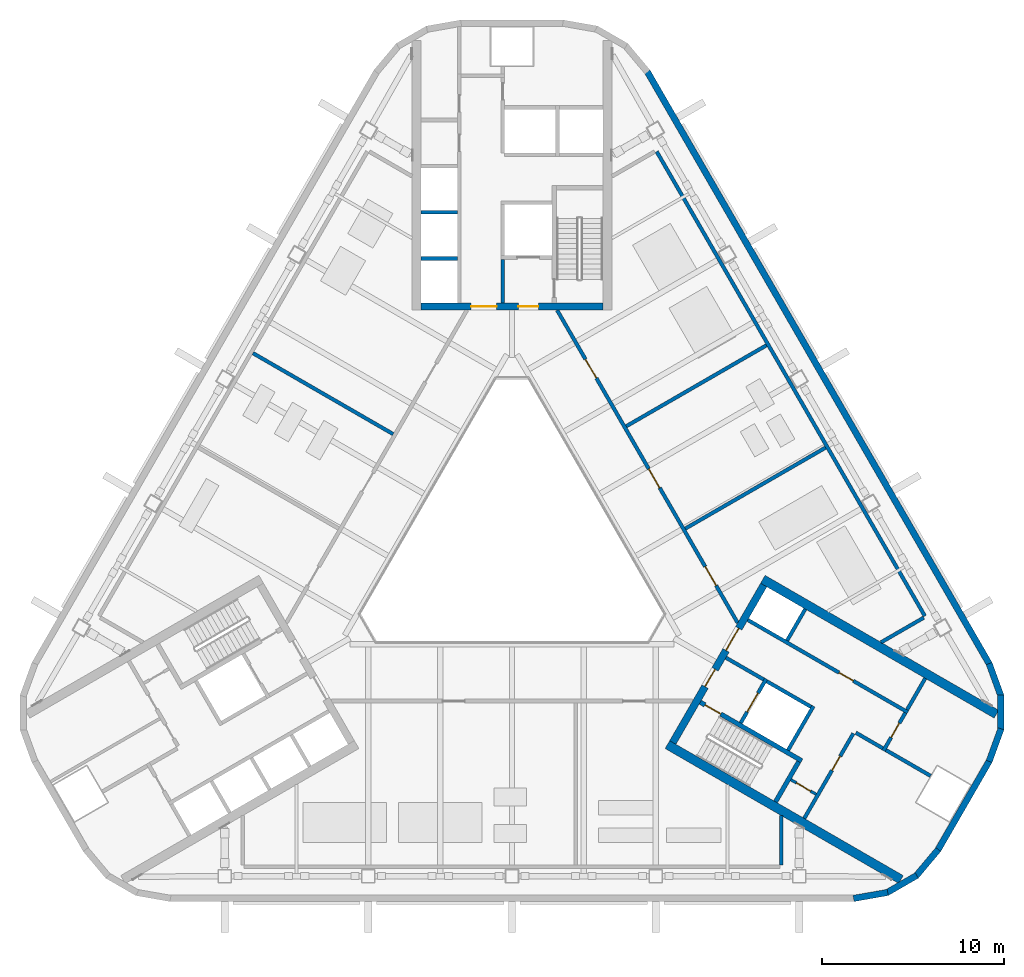
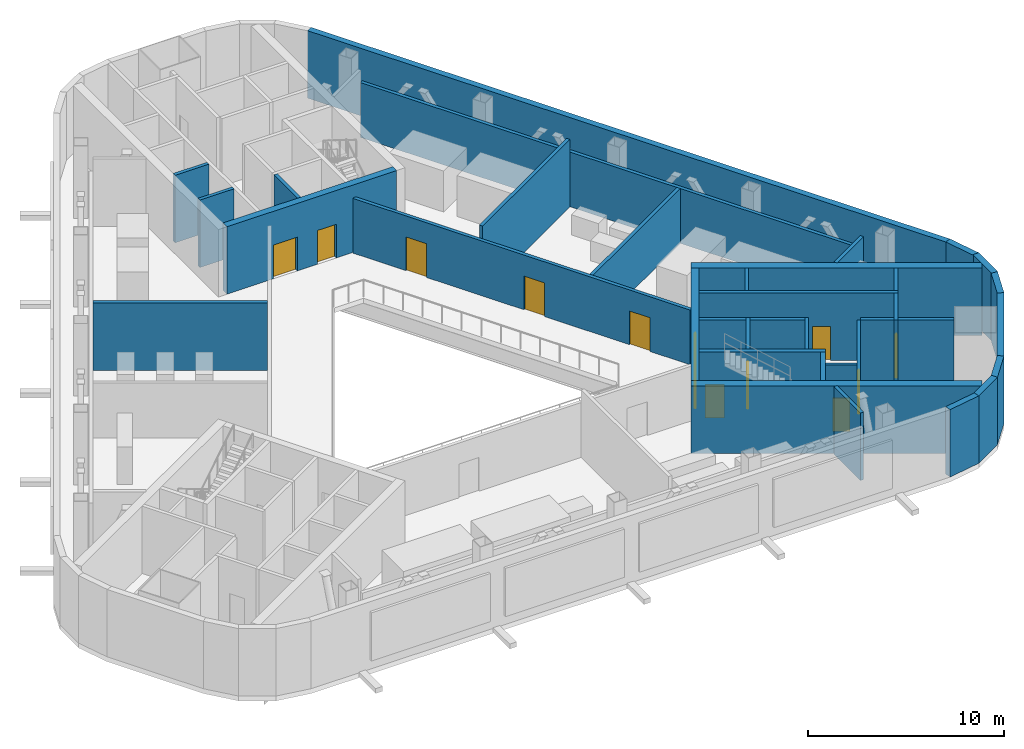
# One storey, part 8 of 15: 36 walls, 13 doors, 13 openings.
"""IFC4 building model written with IfcOpenShell, lengths in metres."""

from ifc_helpers import new_model, si_unit, direction, frame, frame_2d, origin, place, context, subcontext, project, spatial, rectangle, extrude, material, layer, layer_set, type_object, element, fill, save


model = new_model("IFC4")

# Units and contexts
model_context = context("Model", 3, precision=1e-05, world=origin(), true_north=direction((0.0, 1.0)))
body_context = subcontext(model_context, "Body", "Model", "MODEL_VIEW")
ifc_project = project(units=[si_unit("LENGTHUNIT", "METRE"), si_unit("AREAUNIT", "SQUARE_METRE"), si_unit("VOLUMEUNIT", "CUBIC_METRE"), si_unit("PLANEANGLEUNIT", "RADIAN"), si_unit("MASSUNIT", "GRAM", prefix="KILO")], contexts=[model_context])

# Site, building, storey
site_placement = place(None, origin())
site = spatial("IfcSite", under=ifc_project, at=site_placement, CompositionType="ELEMENT")
building_placement = place(site_placement, origin())
building = spatial("IfcBuilding", under=site, at=building_placement, Name="Apuvela Tower Hotel", CompositionType="ELEMENT")
storey_placement = place(building_placement, frame((0.0, 0.0, 237.699951171875)))
storey = spatial("IfcBuildingStorey", under=building, at=storey_placement, Name="L58 Plant", CompositionType="ELEMENT", Elevation=237.699951171875)

# Wall, openings, doors
ifc_material_1 = material(Name="Concrete C50/60", Category="concrete")
ifc_layer_1 = layer(ifc_material_1, 0.39990234375)
ifc_layer_set_1 = layer_set([ifc_layer_1], Name="COR-WALL-CORE-400")
wall_type_1 = type_object("IfcWallType", Name="COR-WALL-CORE-400", PredefinedType="SHEAR", material=ifc_layer_set_1)
wall_1_placement = place(storey_placement, frame((5.0, 13.10009765625, 0.0), z_axis=(0.0, 0.0, 1.0), x_axis=(-1.0, 0.0, 0.0)))
wall_1 = element("IfcWall", 1, at=wall_1_placement, inside=storey, type_object=wall_type_1, Name="Core wall N", PredefinedType="SHEAR", context=body_context, shape_type="SweptSolid", body=[
    extrude(rectangle(XDim=10.0, YDim=0.39990234375, at=frame_2d((5.0, 0.0))), origin(), (0.0, 0.0, 1.0), 4.199951171875),
])
opening_1_placement = place(wall_1_placement, frame((3.550048828125, 0.0, 0.0)))
opening_1 = element("IfcOpeningElement", 2, at=opening_1_placement, cuts=wall_1, Name="Opening N-FD", PredefinedType="OPENING", context=body_context, shape_type="SweptSolid", body=[
    extrude(rectangle(XDim=1.10009765625, YDim=2.10009765625, at=frame_2d((0.550048828125, 1.050048828125))), frame((0.0, 0.2099609375, 0.0), z_axis=(0.0, -1.0, 0.0), x_axis=(1.0, 0.0, 0.0)), (0.0, 0.0, 1.0), 0.419921875),
])
opening_2_placement = place(wall_1_placement, frame((5.85009765625, 0.0, 0.0)))
opening_2 = element("IfcOpeningElement", 3, at=opening_2_placement, cuts=wall_1, Name="Opening N-GD", PredefinedType="OPENING", context=body_context, shape_type="SweptSolid", body=[
    extrude(rectangle(XDim=1.39990234375, YDim=2.10009765625, at=frame_2d((0.699951171875, 1.050048828125))), frame((0.0, 0.2099609375, 0.0), z_axis=(0.0, -1.0, 0.0), x_axis=(1.0, 0.0, 0.0)), (0.0, 0.0, 1.0), 0.419921875),
])
ifc_material_2 = material(Name="Steel fire door, powder coated", Category="steel")
door_type_1 = type_object("IfcDoorType", Name="COR-FD-1100", OperationType="NOTDEFINED", PredefinedType="DOOR", material=ifc_material_2)
door_1_placement = place(opening_1_placement, frame((1.10009765625, 0.0, 0.0), z_axis=(0.0, 0.0, 1.0), x_axis=(-1.0, 0.0, 0.0)))
door_1 = element("IfcDoor", 4, at=door_1_placement, inside=storey, type_object=door_type_1, Name="Firefighting lobby door N-FD", OperationType="SINGLE_SWING_LEFT", OverallHeight=2.10009765625, OverallWidth=1.10009765625, PredefinedType="DOOR", context=body_context, shape_type="SweptSolid", body=[
    extrude(rectangle(XDim=1.10009765625, YDim=2.10009765625, at=frame_2d((0.550048828125, 1.050048828125))), frame((0.0, 0.02490234375, 0.0), z_axis=(0.0, -1.0, 0.0), x_axis=(1.0, 0.0, 0.0)), (0.0, 0.0, 1.0), 0.050048828125),
])
fill(opening_1, door_1)
ifc_material_3 = material(Name="Glazed steel fire door", Category="steel")
door_type_2 = type_object("IfcDoorType", Name="COR-GD-1400", OperationType="DOUBLE_DOOR_SINGLE_SWING", PredefinedType="DOOR", material=ifc_material_3)
door_2_placement = place(opening_2_placement, frame((1.39990234375, 0.0, 0.0), z_axis=(0.0, 0.0, 1.0), x_axis=(-1.0, 0.0, 0.0)))
door_2 = element("IfcDoor", 5, at=door_2_placement, inside=storey, type_object=door_type_2, Name="Lift lobby door N-GD", OperationType="DOUBLE_DOOR_SINGLE_SWING", OverallHeight=2.10009765625, OverallWidth=1.39990234375, PredefinedType="DOOR", context=body_context, shape_type="SweptSolid", body=[
    extrude(rectangle(XDim=1.39990234375, YDim=2.10009765625, at=frame_2d((0.699951171875, 1.050048828125))), frame((0.0, 0.02490234375, 0.0), z_axis=(0.0, -1.0, 0.0), x_axis=(1.0, 0.0, 0.0)), (0.0, 0.0, 1.0), 0.050048828125),
])
fill(opening_2, door_2)

wall_2_placement = place(storey_placement, frame((8.844970703125, -10.880126953125, 0.0), z_axis=(0.0, 0.0, 1.0), x_axis=(0.500004234368, 0.866022959057, 0.0)))
wall_2 = element("IfcWall", 6, at=wall_2_placement, inside=storey, type_object=wall_type_1, Name="Core wall SE", PredefinedType="SHEAR", context=body_context, shape_type="SweptSolid", body=[
    extrude(rectangle(XDim=10.0, YDim=0.39990234375, at=frame_2d((5.0, 0.0))), origin(), (0.0, 0.0, 1.0), 4.199951171875),
])
opening_3_placement = place(wall_2_placement, frame((3.550048828125, 0.0, 0.0)))
opening_3 = element("IfcOpeningElement", 7, at=opening_3_placement, cuts=wall_2, Name="Opening E-FD", PredefinedType="OPENING", context=body_context, shape_type="SweptSolid", body=[
    extrude(rectangle(XDim=1.10009765625, YDim=2.10009765625, at=frame_2d((0.550048828125, 1.050048828125))), frame((0.0, 0.2099609375, 0.0), z_axis=(0.0, -1.0, 0.0), x_axis=(1.0, 0.0, 0.0)), (0.0, 0.0, 1.0), 0.419921875),
])
opening_4_placement = place(wall_2_placement, frame((5.85009765625, 0.0, 0.0)))
opening_4 = element("IfcOpeningElement", 8, at=opening_4_placement, cuts=wall_2, Name="Opening E-GD", PredefinedType="OPENING", context=body_context, shape_type="SweptSolid", body=[
    extrude(rectangle(XDim=1.39990234375, YDim=2.10009765625, at=frame_2d((0.699951171875, 1.050048828125))), frame((0.0, 0.2099609375, 0.0), z_axis=(0.0, -1.0, 0.0), x_axis=(1.0, 0.0, 0.0)), (0.0, 0.0, 1.0), 0.419921875),
])
door_3_placement = place(opening_3_placement, frame((1.10009765625, 0.0, 0.0), z_axis=(0.0, 0.0, 1.0), x_axis=(-1.0, 0.0, 0.0)))
door_3 = element("IfcDoor", 9, at=door_3_placement, inside=storey, type_object=door_type_1, Name="Firefighting lobby door E-FD", OperationType="SINGLE_SWING_LEFT", OverallHeight=2.10009765625, OverallWidth=1.10009765625, PredefinedType="DOOR", context=body_context, shape_type="SweptSolid", body=[
    extrude(rectangle(XDim=1.10009765625, YDim=2.10009765625, at=frame_2d((0.550048828125, 1.050048828125))), frame((0.0, 0.02490234375, 0.0), z_axis=(0.0, -1.0, 0.0), x_axis=(1.0, 0.0, 0.0)), (0.0, 0.0, 1.0), 0.050048828125),
])
fill(opening_3, door_3)
door_4_placement = place(opening_4_placement, frame((1.39990234375, 0.0, 0.0), z_axis=(0.0, 0.0, 1.0), x_axis=(-1.0, 0.0, 0.0)))
door_4 = element("IfcDoor", 10, at=door_4_placement, inside=storey, type_object=door_type_2, Name="Lift lobby door E-GD", OperationType="DOUBLE_DOOR_SINGLE_SWING", OverallHeight=2.10009765625, OverallWidth=1.39990234375, PredefinedType="DOOR", context=body_context, shape_type="SweptSolid", body=[
    extrude(rectangle(XDim=1.39990234375, YDim=2.10009765625, at=frame_2d((0.699951171875, 1.050048828125))), frame((0.0, 0.02490234375, 0.0), z_axis=(0.0, -1.0, 0.0), x_axis=(1.0, 0.0, 0.0)), (0.0, 0.0, 1.0), 0.050048828125),
])
fill(opening_4, door_4)

# Walls
ifc_layer_2 = layer(ifc_material_1, 0.5)
ifc_layer_set_2 = layer_set([ifc_layer_2], Name="COR-WALL-CORE-500")
wall_type_2 = type_object("IfcWallType", Name="COR-WALL-CORE-500", PredefinedType="SHEAR", material=ifc_layer_set_2)
for number, where, z_axis, x_axis, name in (
    (11, (8.546630859375, -10.99658203125, 0.0), (0.0, 0.0, 1.0), (0.866025009528, -0.500000682871, 0.0), "Core wall SE"),
    (12, (13.796630859375, -1.9033203125, 0.0), (0.0, 0.0, 1.0), (0.866025009528, -0.500000682871, 0.0), "Core wall SE"),
):
    element("IfcWall", number, at=place(storey_placement, frame(where, z_axis=z_axis, x_axis=x_axis)), inside=storey, type_object=wall_type_2, Name=name, PredefinedType="SHEAR", context=body_context, shape_type="SweptSolid", body=[
        extrude(rectangle(XDim=14.8369140625, YDim=0.5, at=frame_2d((7.41845703125, 0.0))), origin(), (0.0, 0.0, 1.0), 4.199951171875),
    ])

# Wall, opening, door
ifc_material_4 = material(Name="Blockwork 150 mm plastered", Category="masonry")
ifc_layer_3 = layer(ifc_material_4, 0.14990234375)
ifc_layer_set_3 = layer_set([ifc_layer_3], Name="COR-WALL-PART-150")
wall_type_3 = type_object("IfcWallType", Name="COR-WALL-PART-150", PredefinedType="PARTITIONING", material=ifc_layer_set_3)
wall_3_placement = place(storey_placement, frame((15.341552734375, -12.927734375, 0.0), z_axis=(0.0, 0.0, 1.0), x_axis=(0.865989903783, -0.500061482766, 0.0)))
wall_3 = element("IfcWall", 13, at=wall_3_placement, inside=storey, type_object=wall_type_3, Name="Partition SE", PredefinedType="PARTITIONING", context=body_context, shape_type="SweptSolid", body=[
    extrude(rectangle(XDim=1.599853515625, YDim=0.14990234375, at=frame_2d((0.7998046875, 0.0))), origin(), (0.0, 0.0, 1.0), 4.199951171875),
])
opening_5_placement = place(wall_3_placement, frame((0.35009765625, 0.0, 0.0)))
opening_5 = element("IfcOpeningElement", 14, at=opening_5_placement, cuts=wall_3, Name="Opening E-RD", PredefinedType="OPENING", context=body_context, shape_type="SweptSolid", body=[
    extrude(rectangle(XDim=0.89990234375, YDim=2.10009765625, at=frame_2d((0.449951171875, 1.050048828125))), frame((0.0, 0.0849609375, 0.0), z_axis=(0.0, -1.0, 0.0), x_axis=(1.0, 0.0, 0.0)), (0.0, 0.0, 1.0), 0.169921875),
])
ifc_material_5 = material(Name="Steel access door, powder coated", Category="steel")
door_type_3 = type_object("IfcDoorType", Name="COR-RD-900", OperationType="NOTDEFINED", PredefinedType="DOOR", material=ifc_material_5)
door_5_placement = place(opening_5_placement, frame((0.89990234375, 0.0, 0.0), z_axis=(0.0, 0.0, 1.0), x_axis=(-1.0, 0.0, 0.0)))
door_5 = element("IfcDoor", 15, at=door_5_placement, inside=storey, type_object=door_type_3, Name="Riser door E-RD", OperationType="SINGLE_SWING_LEFT", OverallHeight=2.10009765625, OverallWidth=0.89990234375, PredefinedType="DOOR", context=body_context, shape_type="SweptSolid", body=[
    extrude(rectangle(XDim=0.89990234375, YDim=2.10009765625, at=frame_2d((0.449951171875, 1.050048828125))), frame((0.0, 0.02490234375, 0.0), z_axis=(0.0, -1.0, 0.0), x_axis=(1.0, 0.0, 0.0)), (0.0, 0.0, 1.0), 0.050048828125),
])
fill(opening_5, door_5)

ifc_material_6 = material(Name="Blockwork 200 mm plastered", Category="masonry")
ifc_layer_4 = layer(ifc_material_6, 0.199951171875)
ifc_layer_set_4 = layer_set([ifc_layer_4], Name="COR-WALL-PART-200")
wall_type_4 = type_object("IfcWallType", Name="COR-WALL-PART-200", PredefinedType="PARTITIONING", material=ifc_layer_set_4)
wall_4_placement = place(storey_placement, frame((16.076171875, -15.05517578125, 0.0), z_axis=(0.0, 0.0, 1.0), x_axis=(0.499995103361, 0.866028230842, 0.0)))
wall_4 = element("IfcWall", 16, at=wall_4_placement, inside=storey, type_object=wall_type_4, Name="Partition SE", PredefinedType="PARTITIONING", context=body_context, shape_type="SweptSolid", body=[
    extrude(rectangle(XDim=5.39990234375, YDim=0.199951171875, at=frame_2d((2.699951171875, 0.0))), origin(), (0.0, 0.0, 1.0), 4.199951171875),
])
opening_6_placement = place(wall_4_placement, frame((3.050048828125, 0.0, 0.0)))
opening_6 = element("IfcOpeningElement", 17, at=opening_6_placement, cuts=wall_4, Name="Opening E-RS1", PredefinedType="OPENING", context=body_context, shape_type="SweptSolid", body=[
    extrude(rectangle(XDim=0.89990234375, YDim=2.10009765625, at=frame_2d((0.449951171875, 1.050048828125))), frame((0.0, 0.10986328125, 0.0), z_axis=(0.0, -1.0, 0.0), x_axis=(1.0, 0.0, 0.0)), (0.0, 0.0, 1.0), 0.219970703125),
])
door_type_4 = type_object("IfcDoorType", Name="COR-DR-900", OperationType="NOTDEFINED", PredefinedType="DOOR", material=ifc_material_2)
door_6_placement = place(opening_6_placement, frame((0.89990234375, 0.0, 0.0), z_axis=(0.0, 0.0, 1.0), x_axis=(-1.0, 0.0, 0.0)))
door_6 = element("IfcDoor", 18, at=door_6_placement, inside=storey, type_object=door_type_4, Name="Store door E-RS1", OperationType="SINGLE_SWING_LEFT", OverallHeight=2.10009765625, OverallWidth=0.89990234375, PredefinedType="DOOR", context=body_context, shape_type="SweptSolid", body=[
    extrude(rectangle(XDim=0.89990234375, YDim=2.10009765625, at=frame_2d((0.449951171875, 1.050048828125))), frame((0.0, 0.02490234375, 0.0), z_axis=(0.0, -1.0, 0.0), x_axis=(1.0, 0.0, 0.0)), (0.0, 0.0, 1.0), 0.050048828125),
])
fill(opening_6, door_6)

# Walls
ifc_layer_5 = layer(ifc_material_1, 0.199951171875)
ifc_layer_set_5 = layer_set([ifc_layer_5], Name="COR-WALL-SHAFT-200")
wall_type_5 = type_object("IfcWallType", Name="COR-WALL-SHAFT-200", PredefinedType="SHEAR", material=ifc_layer_set_5)
wall_5_placement = place(storey_placement, frame((-0.5, 13.300048828125, 0.0), z_axis=(0.0, 0.0, 1.0), x_axis=(0.0, 1.0, 0.0)))
element("IfcWall", 19, at=wall_5_placement, inside=storey, type_object=wall_type_5, Name="Shaft wall N", PredefinedType="SHEAR", context=body_context, shape_type="SweptSolid", body=[
    extrude(rectangle(XDim=2.39990234375, YDim=0.199951171875, at=frame_2d((1.199951171875, 0.0))), origin(), (0.0, 0.0, 1.0), 4.199951171875),
])
for number, where, z_axis, x_axis, name in (
    (20, (-3.0, 15.739990234375, 0.0), (0.0, 0.0, 1.0), (-1.0, 0.0, 0.0), "Shaft wall N"),
    (21, (-3.0, 18.280029296875, 0.0), (0.0, 0.0, 1.0), (-1.0, 0.0, 0.0), "Shaft wall N"),
):
    element("IfcWall", number, at=place(storey_placement, frame(where, z_axis=z_axis, x_axis=x_axis)), inside=storey, type_object=wall_type_5, Name=name, PredefinedType="SHEAR", context=body_context, shape_type="SweptSolid", body=[
        extrude(rectangle(XDim=2.0, YDim=0.199951171875, at=frame_2d((1.0, 0.0))), origin(), (0.0, 0.0, 1.0), 4.199951171875),
    ])
wall_6_placement = place(storey_placement, frame((15.181396484375, -11.305419921875, 0.0), z_axis=(0.0, 0.0, 1.0), x_axis=(0.49994636267, 0.866056369097, 0.0)))
element("IfcWall", 22, at=wall_6_placement, inside=storey, type_object=wall_type_5, Name="Shaft wall SE", PredefinedType="SHEAR", context=body_context, shape_type="SweptSolid", body=[
    extrude(rectangle(XDim=2.800048828125, YDim=0.199951171875, at=frame_2d((1.39990234375, 0.0))), origin(), (0.0, 0.0, 1.0), 4.199951171875),
])

# Wall, opening, door
wall_7_placement = place(storey_placement, frame((12.583251953125, -9.805419921875, 0.0), z_axis=(0.0, 0.0, 1.0), x_axis=(0.49994636267, 0.866056369097, 0.0)))
wall_7 = element("IfcWall", 23, at=wall_7_placement, inside=storey, type_object=wall_type_5, Name="Shaft wall SE", PredefinedType="SHEAR", context=body_context, shape_type="SweptSolid", body=[
    extrude(rectangle(XDim=2.800048828125, YDim=0.199951171875, at=frame_2d((1.39990234375, 0.0))), origin(), (0.0, 0.0, 1.0), 4.199951171875),
])
opening_7_placement = place(wall_7_placement, frame((0.699951171875, 0.0, 0.0)))
opening_7 = element("IfcOpeningElement", 24, at=opening_7_placement, cuts=wall_7, Name="Opening E-LD-FS3", PredefinedType="OPENING", context=body_context, shape_type="SweptSolid", body=[
    extrude(rectangle(XDim=1.199951171875, YDim=2.10009765625, at=frame_2d((0.60009765625, 1.050048828125))), frame((0.0, 0.10986328125, 0.0), z_axis=(0.0, -1.0, 0.0), x_axis=(1.0, 0.0, 0.0)), (0.0, 0.0, 1.0), 0.219970703125),
])
ifc_material_7 = material(Name="Stainless steel lift landing door", Category="steel")
door_type_5 = type_object("IfcDoorType", Name="COR-LD-1200", OperationType="DOUBLE_DOOR_SLIDING", PredefinedType="DOOR", material=ifc_material_7)
door_7_placement = place(opening_7_placement, origin())
door_7 = element("IfcDoor", 25, at=door_7_placement, inside=storey, type_object=door_type_5, Name="Lift landing door E-LD-FS3", OperationType="DOUBLE_DOOR_SLIDING", OverallHeight=2.10009765625, OverallWidth=1.199951171875, PredefinedType="DOOR", context=body_context, shape_type="SweptSolid", body=[
    extrude(rectangle(XDim=1.199951171875, YDim=2.10009765625, at=frame_2d((0.60009765625, 1.050048828125))), frame((0.0, 0.02490234375, 0.0), z_axis=(0.0, -1.0, 0.0), x_axis=(1.0, 0.0, 0.0)), (0.0, 0.0, 1.0), 0.050048828125),
])
fill(opening_7, door_7)

# Walls
wall_8_placement = place(storey_placement, frame((11.76806640625, -6.217041015625, 0.0), z_axis=(0.0, 0.0, 1.0), x_axis=(0.866050077142, -0.499957262057, 0.0)))
element("IfcWall", 26, at=wall_8_placement, inside=storey, type_object=wall_type_5, Name="Shaft wall SE", PredefinedType="SHEAR", context=body_context, shape_type="SweptSolid", body=[
    extrude(rectangle(XDim=2.400146484375, YDim=0.199951171875, at=frame_2d((1.2001953125, 0.0))), origin(), (0.0, 0.0, 1.0), 4.199951171875),
])
wall_9_placement = place(storey_placement, frame((14.019775390625, -7.51708984375, 0.0), z_axis=(0.0, 0.0, 1.0), x_axis=(0.866034573852, -0.49998411664, 0.0)))
element("IfcWall", 27, at=wall_9_placement, inside=storey, type_object=wall_type_5, Name="Shaft wall SE", PredefinedType="SHEAR", context=body_context, shape_type="SweptSolid", body=[
    extrude(rectangle(XDim=2.7998046875, YDim=0.199951171875, at=frame_2d((1.39990234375, 0.0))), origin(), (0.0, 0.0, 1.0), 4.199951171875),
])

# Wall, opening, door
wall_10_placement = place(storey_placement, frame((12.968017578125, -4.138427734375, 0.0), z_axis=(0.0, 0.0, 1.0), x_axis=(0.866028328073, -0.49999493495, 0.0)))
wall_10 = element("IfcWall", 28, at=wall_10_placement, inside=storey, type_object=wall_type_5, Name="Shaft wall SE", PredefinedType="SHEAR", context=body_context, shape_type="SweptSolid", body=[
    extrude(rectangle(XDim=10.16015625, YDim=0.199951171875, at=frame_2d((5.080078125, 0.0))), origin(), (0.0, 0.0, 1.0), 4.199951171875),
])
opening_8_placement = place(wall_10_placement, frame((5.800048828125, 0.0, 0.0)))
opening_8 = element("IfcOpeningElement", 29, at=opening_8_placement, cuts=wall_10, Name="Opening E-RE2", PredefinedType="OPENING", context=body_context, shape_type="SweptSolid", body=[
    extrude(rectangle(XDim=0.89990234375, YDim=2.10009765625, at=frame_2d((0.449951171875, 1.050048828125))), frame((0.0, 0.10986328125, 0.0), z_axis=(0.0, -1.0, 0.0), x_axis=(1.0, 0.0, 0.0)), (0.0, 0.0, 1.0), 0.219970703125),
])
door_8_placement = place(opening_8_placement, origin())
door_8 = element("IfcDoor", 30, at=door_8_placement, inside=storey, type_object=door_type_4, Name="Store door E-RE2", OperationType="SINGLE_SWING_LEFT", OverallHeight=2.10009765625, OverallWidth=0.89990234375, PredefinedType="DOOR", context=body_context, shape_type="SweptSolid", body=[
    extrude(rectangle(XDim=0.89990234375, YDim=2.10009765625, at=frame_2d((0.449951171875, 1.050048828125))), frame((0.0, 0.02490234375, 0.0), z_axis=(0.0, -1.0, 0.0), x_axis=(1.0, 0.0, 0.0)), (0.0, 0.0, 1.0), 0.050048828125),
])
fill(opening_8, door_8)

wall_11_placement = place(storey_placement, frame((20.430419921875, -11.33349609375, 0.0), z_axis=(0.0, 0.0, 1.0), x_axis=(0.500001309137, 0.866024647952, 0.0)))
wall_11 = element("IfcWall", 31, at=wall_11_placement, inside=storey, type_object=wall_type_5, Name="Shaft wall SE", PredefinedType="SHEAR", context=body_context, shape_type="SweptSolid", body=[
    extrude(rectangle(XDim=2.39990234375, YDim=0.199951171875, at=frame_2d((1.199951171875, 0.0))), origin(), (0.0, 0.0, 1.0), 4.199951171875),
])
opening_9_placement = place(wall_11_placement, frame((0.85009765625, 0.0, 0.0)))
opening_9 = element("IfcOpeningElement", 32, at=opening_9_placement, cuts=wall_11, Name="Opening E-REP", PredefinedType="OPENING", context=body_context, shape_type="SweptSolid", body=[
    extrude(rectangle(XDim=0.89990234375, YDim=2.10009765625, at=frame_2d((0.449951171875, 1.050048828125))), frame((0.0, 0.10986328125, 0.0), z_axis=(0.0, -1.0, 0.0), x_axis=(1.0, 0.0, 0.0)), (0.0, 0.0, 1.0), 0.219970703125),
])
door_9_placement = place(opening_9_placement, frame((0.89990234375, 0.0, 0.0), z_axis=(0.0, 0.0, 1.0), x_axis=(-1.0, 0.0, 0.0)))
door_9 = element("IfcDoor", 33, at=door_9_placement, inside=storey, type_object=door_type_4, Name="Store door E-REP", OperationType="SINGLE_SWING_RIGHT", OverallHeight=2.10009765625, OverallWidth=0.89990234375, PredefinedType="DOOR", context=body_context, shape_type="SweptSolid", body=[
    extrude(rectangle(XDim=0.89990234375, YDim=2.10009765625, at=frame_2d((0.449951171875, 1.050048828125))), frame((0.0, 0.02490234375, 0.0), z_axis=(0.0, -1.0, 0.0), x_axis=(1.0, 0.0, 0.0)), (0.0, 0.0, 1.0), 0.050048828125),
])
fill(opening_9, door_9)

# Walls
wall_12_placement = place(storey_placement, frame((18.912841796875, -10.342041015625, 0.0), z_axis=(0.0, 0.0, 1.0), x_axis=(0.866038183914, -0.499977863513, 0.0)))
element("IfcWall", 34, at=wall_12_placement, inside=storey, type_object=wall_type_5, Name="Shaft wall SE", PredefinedType="SHEAR", context=body_context, shape_type="SweptSolid", body=[
    extrude(rectangle(XDim=1.7099609375, YDim=0.199951171875, at=frame_2d((0.85498046875, 0.0))), origin(), (0.0, 0.0, 1.0), 4.199951171875),
])
for number, where, z_axis, x_axis, name in (
    (35, (15.131103515625, -5.27197265625, 0.0), (0.0, 0.0, 1.0), (0.499972520799, 0.866041268327, 0.0), "Shaft wall SE"),
    (36, (21.73046875, -9.081787109375, 0.0), (0.0, 0.0, 1.0), (0.50002537861, 0.866010750942, 0.0), "Shaft wall SE"),
):
    element("IfcWall", number, at=place(storey_placement, frame(where, z_axis=z_axis, x_axis=x_axis)), inside=storey, type_object=wall_type_5, Name=name, PredefinedType="SHEAR", context=body_context, shape_type="SweptSolid", body=[
        extrude(rectangle(XDim=2.0, YDim=0.199951171875, at=frame_2d((1.0, 0.0))), origin(), (0.0, 0.0, 1.0), 4.199951171875),
    ])
wall_13_placement = place(storey_placement, frame((20.56689453125, -11.297119140625, 0.0), z_axis=(0.0, 0.0, 1.0), x_axis=(0.866055327414, -0.49994816717, 0.0)))
element("IfcWall", 37, at=wall_13_placement, inside=storey, type_object=wall_type_5, Name="Shaft wall SE", PredefinedType="SHEAR", context=body_context, shape_type="SweptSolid", body=[
    extrude(rectangle(XDim=2.840087890625, YDim=0.199951171875, at=frame_2d((1.419921875, 0.0))), origin(), (0.0, 0.0, 1.0), 4.199951171875),
])

# Wall, opening, door
ifc_layer_6 = layer(ifc_material_1, 0.25)
ifc_layer_set_6 = layer_set([ifc_layer_6], Name="COR-WALL-STAIR-250")
wall_type_6 = type_object("IfcWallType", Name="COR-WALL-STAIR-250", PredefinedType="SHEAR", material=ifc_layer_set_6)
wall_14_placement = place(storey_placement, frame((10.355712890625, -8.66357421875, 0.0), z_axis=(0.0, 0.0, 1.0), x_axis=(0.866028629588, -0.499994412703, 0.0)))
wall_14 = element("IfcWall", 38, at=wall_14_placement, inside=storey, type_object=wall_type_6, Name="Stair wall SE", PredefinedType="SHEAR", context=body_context, shape_type="SweptSolid", body=[
    extrude(rectangle(XDim=6.44970703125, YDim=0.25, at=frame_2d((3.224853515625, 0.0))), origin(), (0.0, 0.0, 1.0), 4.199951171875),
])
opening_10_placement = place(wall_14_placement, frame((0.300048828125, 0.0, 0.0)))
opening_10 = element("IfcOpeningElement", 39, at=opening_10_placement, cuts=wall_14, Name="Opening E-SD", PredefinedType="OPENING", context=body_context, shape_type="SweptSolid", body=[
    extrude(rectangle(XDim=1.0, YDim=2.10009765625, at=frame_2d((0.5, 1.050048828125))), frame((0.0, 0.135009765625, 0.0), z_axis=(0.0, -1.0, 0.0), x_axis=(1.0, 0.0, 0.0)), (0.0, 0.0, 1.0), 0.27001953125),
])
door_type_6 = type_object("IfcDoorType", Name="COR-SD-1000", OperationType="NOTDEFINED", PredefinedType="DOOR", material=ifc_material_2)
door_10_placement = place(opening_10_placement, frame((1.0, 0.0, 0.0), z_axis=(0.0, 0.0, 1.0), x_axis=(-1.0, 0.0, 0.0)))
door_10 = element("IfcDoor", 40, at=door_10_placement, inside=storey, type_object=door_type_6, Name="Stair door E-SD", OperationType="SINGLE_SWING_LEFT", OverallHeight=2.10009765625, OverallWidth=1.0, PredefinedType="DOOR", context=body_context, shape_type="SweptSolid", body=[
    extrude(rectangle(XDim=1.0, YDim=2.10009765625, at=frame_2d((0.5, 1.050048828125))), frame((0.0, 0.02490234375, 0.0), z_axis=(0.0, -1.0, 0.0), x_axis=(1.0, 0.0, 0.0)), (0.0, 0.0, 1.0), 0.050048828125),
])
fill(opening_10, door_10)

# Walls
wall_15_placement = place(storey_placement, frame((14.49560546875, -14.142578125, 0.0), z_axis=(0.0, 0.0, 1.0), x_axis=(0.500062241894, 0.865989465428, 0.0)))
element("IfcWall", 41, at=wall_15_placement, inside=storey, type_object=wall_type_6, Name="Stair wall SE", PredefinedType="SHEAR", context=body_context, shape_type="SweptSolid", body=[
    extrude(rectangle(XDim=2.550048828125, YDim=0.25, at=frame_2d((1.27490234375, 0.0))), origin(), (0.0, 0.0, 1.0), 4.199951171875),
])
ifc_material_8 = material(Name="Concrete C40/50, dark pigmented precast panel", Category="concrete")
ifc_layer_7 = layer(ifc_material_8, 0.35009765625)
ifc_layer_set_7 = layer_set([ifc_layer_7], Name="ENV-WALL-350")
wall_type_7 = type_object("IfcWallType", Name="ENV-WALL-350", PredefinedType="SOLIDWALL", material=ifc_layer_set_7)
wall_16_placement = place(storey_placement, frame((18.785400390625, -19.457763671875, 0.0), z_axis=(0.0, 0.0, 1.0), x_axis=(0.984798995425, 0.173697837091, 0.0)))
element("IfcWall", 42, at=wall_16_placement, inside=storey, type_object=wall_type_7, Name="External wall L58 Plant-16", PredefinedType="SOLIDWALL", context=body_context, shape_type="SweptSolid", body=[
    extrude(rectangle(XDim=1.91015625, YDim=0.35009765625, at=frame_2d((0.955078125, 0.0))), origin(), (0.0, 0.0, 1.0), 4.199951171875),
])
for number, where, z_axis, x_axis, name in (
    (43, (20.609619140625, -19.146728515625, 0.0), (0.0, 0.0, 1.0), (0.866000389056, 0.500043324278, 0.0), "External wall L58 Plant-17"),
    (44, (22.217041015625, -18.230712890625, 0.0), (0.0, 0.0, 1.0), (0.642808304945, 0.766027077259, 0.0), "External wall L58 Plant-18"),
):
    element("IfcWall", number, at=place(storey_placement, frame(where, z_axis=z_axis, x_axis=x_axis)), inside=storey, type_object=wall_type_7, Name=name, PredefinedType="SOLIDWALL", context=body_context, shape_type="SweptSolid", body=[
        extrude(rectangle(XDim=1.909912109375, YDim=0.35009765625, at=frame_2d((0.955078125, 0.0))), origin(), (0.0, 0.0, 1.0), 4.199951171875),
    ])
wall_17_placement = place(storey_placement, frame((23.427490234375, -16.79248046875, 0.0), z_axis=(0.0, 0.0, 1.0), x_axis=(0.499986410639, 0.866033249463, 0.0)))
element("IfcWall", 45, at=wall_17_placement, inside=storey, type_object=wall_type_7, Name="External wall L58 Plant-19", PredefinedType="SOLIDWALL", context=body_context, shape_type="SweptSolid", body=[
    extrude(rectangle(XDim=5.657958984375, YDim=0.35009765625, at=frame_2d((2.8291015625, 0.0))), origin(), (0.0, 0.0, 1.0), 4.199951171875),
])
for number, where, z_axis, x_axis, name in (
    (46, (26.24365234375, -11.920166015625, 0.0), (0.0, 0.0, 1.0), (0.342030395486, 0.939688889242, 0.0), "External wall L58 Plant-20"),
    (47, (26.88623046875, -10.18505859375, 0.0), (0.0, 0.0, 1.0), (0.0, 1.0, 0.0), "External wall L58 Plant-21"),
    (48, (26.89697265625, -8.334716796875, 0.0), (0.0, 0.0, 1.0), (-0.342030395486, 0.939688889242, 0.0), "External wall L58 Plant-22"),
):
    element("IfcWall", number, at=place(storey_placement, frame(where, z_axis=z_axis, x_axis=x_axis)), inside=storey, type_object=wall_type_7, Name=name, PredefinedType="SOLIDWALL", context=body_context, shape_type="SweptSolid", body=[
        extrude(rectangle(XDim=1.91015625, YDim=0.35009765625, at=frame_2d((0.955078125, 0.0))), origin(), (0.0, 0.0, 1.0), 4.199951171875),
    ])
wall_18_placement = place(storey_placement, frame((26.25634765625, -6.5673828125, 0.0), z_axis=(0.0, 0.0, 1.0), x_axis=(-0.499998380999, 0.866026338513, 0.0)))
element("IfcWall", 49, at=wall_18_placement, inside=storey, type_object=wall_type_7, Name="External wall L58 Plant-23", PredefinedType="SOLIDWALL", context=body_context, shape_type="SweptSolid", body=[
    extrude(rectangle(XDim=37.63134765625, YDim=0.35009765625, at=frame_2d((18.815673828125, 0.0))), origin(), (0.0, 0.0, 1.0), 4.199951171875),
])
ifc_material_9 = material(Name="Reinforced blockwork B15", Category="masonry")
ifc_layer_8 = layer(ifc_material_9, 0.199951171875)
ifc_layer_set_8 = layer_set([ifc_layer_8], Name="SPC-WALL-PLANT")
wall_type_8 = type_object("IfcWallType", Name="SPC-WALL-PLANT", PredefinedType="PARTITIONING", material=ifc_layer_set_8)
wall_19_placement = place(storey_placement, frame((14.800048828125, -17.60498046875, 0.0), z_axis=(0.0, 0.0, 1.0), x_axis=(0.0, 1.0, 0.0)))
element("IfcWall", 50, at=wall_19_placement, inside=storey, type_object=wall_type_8, Name="Wall L58-S-P05", PredefinedType="PARTITIONING", context=body_context, shape_type="SweptSolid", body=[
    extrude(rectangle(XDim=2.70947265625, YDim=0.199951171875, at=frame_2d((1.354736328125, 0.0))), origin(), (0.0, 0.0, 1.0), 4.199951171875),
])
wall_20_placement = place(storey_placement, frame((22.646484375, -4.0146484375, 0.0), z_axis=(0.0, 0.0, 1.0), x_axis=(-0.866044551023, -0.499966834543, 0.0)))
element("IfcWall", 51, at=wall_20_placement, inside=storey, type_object=wall_type_8, Name="Wall L58-NE-P03", PredefinedType="PARTITIONING", context=body_context, shape_type="SweptSolid", body=[
    extrude(rectangle(XDim=2.709716796875, YDim=0.199951171875, at=frame_2d((1.35498046875, 0.0))), origin(), (0.0, 0.0, 1.0), 4.199951171875),
])
wall_21_placement = place(storey_placement, frame((17.246337890625, 5.33837890625, 0.0), z_axis=(0.0, 0.0, 1.0), x_axis=(-0.866029443717, -0.499993002566, 0.0)))
element("IfcWall", 52, at=wall_21_placement, inside=storey, type_object=wall_type_8, Name="Wall L58-NE-P04", PredefinedType="PARTITIONING", context=body_context, shape_type="SweptSolid", body=[
    extrude(rectangle(XDim=8.905029296875, YDim=0.199951171875, at=frame_2d((4.45263671875, 0.0))), origin(), (0.0, 0.0, 1.0), 3.41015625),
])
wall_22_placement = place(storey_placement, frame((13.996337890625, 10.967529296875, 0.0), z_axis=(0.0, 0.0, 1.0), x_axis=(-0.866029443717, -0.499993002566, 0.0)))
element("IfcWall", 53, at=wall_22_placement, inside=storey, type_object=wall_type_8, Name="Wall L58-NE-P05", PredefinedType="PARTITIONING", context=body_context, shape_type="SweptSolid", body=[
    extrude(rectangle(XDim=8.905029296875, YDim=0.199951171875, at=frame_2d((4.45263671875, 0.0))), origin(), (0.0, 0.0, 1.0), 4.199951171875),
])
wall_23_placement = place(storey_placement, frame((22.7080078125, -3.92138671875, 0.0), z_axis=(0.0, 0.0, 1.0), x_axis=(-0.499998500593, 0.866026269466, 0.0)))
element("IfcWall", 54, at=wall_23_placement, inside=storey, type_object=wall_type_8, Name="Wall L58-NE-FUR1", PredefinedType="PARTITIONING", context=body_context, shape_type="SweptSolid", body=[
    extrude(rectangle(XDim=29.5, YDim=0.199951171875, at=frame_2d((14.75, 0.0))), origin(), (0.0, 0.0, 1.0), 3.41015625),
])

# Wall, openings, doors
wall_24_placement = place(storey_placement, frame((12.4130859375, -4.300048828125, 0.0), z_axis=(0.0, 0.0, 1.0), x_axis=(-0.50000478328, 0.866022642139, 0.0)))
wall_24 = element("IfcWall", 55, at=wall_24_placement, inside=storey, type_object=wall_type_8, Name="Wall L58-NE-CW", PredefinedType="PARTITIONING", context=body_context, shape_type="SweptSolid", body=[
    extrude(rectangle(XDim=19.861083984375, YDim=0.199951171875, at=frame_2d((9.9306640625, 0.0))), origin(), (0.0, 0.0, 1.0), 3.41015625),
])
opening_11_placement = place(wall_24_placement, frame((2.37109375, 0.0, 0.0)))
opening_11 = element("IfcOpeningElement", 56, at=opening_11_placement, cuts=wall_24, Name="Opening L58-S01", PredefinedType="OPENING", context=body_context, shape_type="SweptSolid", body=[
    extrude(rectangle(XDim=1.199951171875, YDim=2.10009765625, at=frame_2d((0.60009765625, 1.050048828125))), frame((0.0, 0.10986328125, 0.0), z_axis=(0.0, -1.0, 0.0), x_axis=(1.0, 0.0, 0.0)), (0.0, 0.0, 1.0), 0.219970703125),
])
opening_12_placement = place(wall_24_placement, frame((8.58056640625, 0.0, 0.0)))
opening_12 = element("IfcOpeningElement", 57, at=opening_12_placement, cuts=wall_24, Name="Opening L58-S02", PredefinedType="OPENING", context=body_context, shape_type="SweptSolid", body=[
    extrude(rectangle(XDim=1.199951171875, YDim=2.10009765625, at=frame_2d((0.60009765625, 1.050048828125))), frame((0.0, 0.10986328125, 0.0), z_axis=(0.0, -1.0, 0.0), x_axis=(1.0, 0.0, 0.0)), (0.0, 0.0, 1.0), 0.219970703125),
])
opening_13_placement = place(wall_24_placement, frame((15.5400390625, 0.0, 0.0)))
opening_13 = element("IfcOpeningElement", 58, at=opening_13_placement, cuts=wall_24, Name="Opening L58-S03", PredefinedType="OPENING", context=body_context, shape_type="SweptSolid", body=[
    extrude(rectangle(XDim=1.199951171875, YDim=2.10009765625, at=frame_2d((0.60009765625, 1.050048828125))), frame((0.0, 0.10986328125, 0.0), z_axis=(0.0, -1.0, 0.0), x_axis=(1.0, 0.0, 0.0)), (0.0, 0.0, 1.0), 0.219970703125),
])
ifc_material_10 = material(Name="Steel fire door leaf", Category="steel")
door_type_7 = type_object("IfcDoorType", Name="SPC-DOOR-1200-PLANT", OperationType="NOTDEFINED", PredefinedType="DOOR", material=ifc_material_10)
door_11_placement = place(opening_11_placement, frame((1.199951171875, 0.0, 0.0), z_axis=(0.0, 0.0, 1.0), x_axis=(-1.0, 0.0, 0.0)))
door_11 = element("IfcDoor", 59, at=door_11_placement, inside=storey, type_object=door_type_7, Name="L58-S01", OperationType="SINGLE_SWING_RIGHT", OverallHeight=2.10009765625, OverallWidth=1.199951171875, PredefinedType="DOOR", context=body_context, shape_type="SweptSolid", body=[
    extrude(rectangle(XDim=1.199951171875, YDim=2.10009765625, at=frame_2d((0.60009765625, 1.050048828125))), frame((0.0, 0.02490234375, 0.0), z_axis=(0.0, -1.0, 0.0), x_axis=(1.0, 0.0, 0.0)), (0.0, 0.0, 1.0), 0.050048828125),
])
fill(opening_11, door_11)
door_12_placement = place(opening_12_placement, frame((1.199951171875, 0.0, 0.0), z_axis=(0.0, 0.0, 1.0), x_axis=(-1.0, 0.0, 0.0)))
door_12 = element("IfcDoor", 60, at=door_12_placement, inside=storey, type_object=door_type_7, Name="L58-S02", OperationType="SINGLE_SWING_LEFT", OverallHeight=2.10009765625, OverallWidth=1.199951171875, PredefinedType="DOOR", context=body_context, shape_type="SweptSolid", body=[
    extrude(rectangle(XDim=1.199951171875, YDim=2.10009765625, at=frame_2d((0.60009765625, 1.050048828125))), frame((0.0, 0.02490234375, 0.0), z_axis=(0.0, -1.0, 0.0), x_axis=(1.0, 0.0, 0.0)), (0.0, 0.0, 1.0), 0.050048828125),
])
fill(opening_12, door_12)
door_13_placement = place(opening_13_placement, frame((1.199951171875, 0.0, 0.0), z_axis=(0.0, 0.0, 1.0), x_axis=(-1.0, 0.0, 0.0)))
door_13 = element("IfcDoor", 61, at=door_13_placement, inside=storey, type_object=door_type_7, Name="L58-S03", OperationType="SINGLE_SWING_RIGHT", OverallHeight=2.10009765625, OverallWidth=1.199951171875, PredefinedType="DOOR", context=body_context, shape_type="SweptSolid", body=[
    extrude(rectangle(XDim=1.199951171875, YDim=2.10009765625, at=frame_2d((0.60009765625, 1.050048828125))), frame((0.0, 0.02490234375, 0.0), z_axis=(0.0, -1.0, 0.0), x_axis=(1.0, 0.0, 0.0)), (0.0, 0.0, 1.0), 0.050048828125),
])
fill(opening_13, door_13)

# Wall
wall_25_placement = place(storey_placement, frame((-14.246337890625, 10.53466796875, 0.0), z_axis=(0.0, 0.0, 1.0), x_axis=(0.866017572094, -0.50001356464, 0.0)))
element("IfcWall", 62, at=wall_25_placement, inside=storey, type_object=wall_type_8, Name="Wall L58-NW-P04", PredefinedType="PARTITIONING", context=body_context, shape_type="SweptSolid", body=[
    extrude(rectangle(XDim=8.905029296875, YDim=0.199951171875, at=frame_2d((4.45263671875, 0.0))), origin(), (0.0, 0.0, 1.0), 4.199951171875),
])

save(model, "model.ifc")
